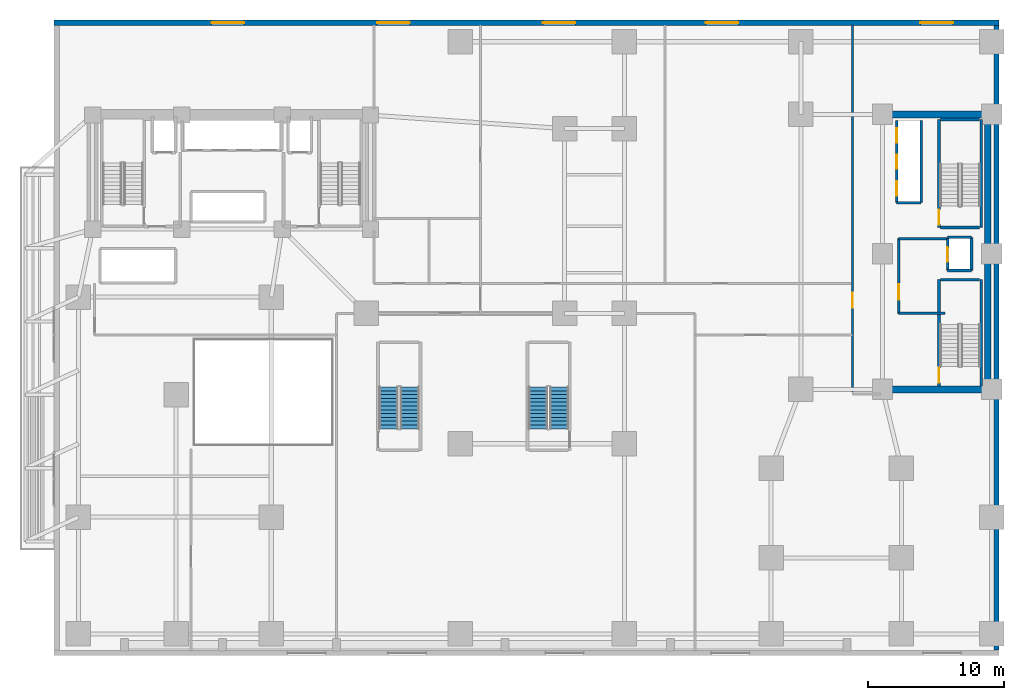
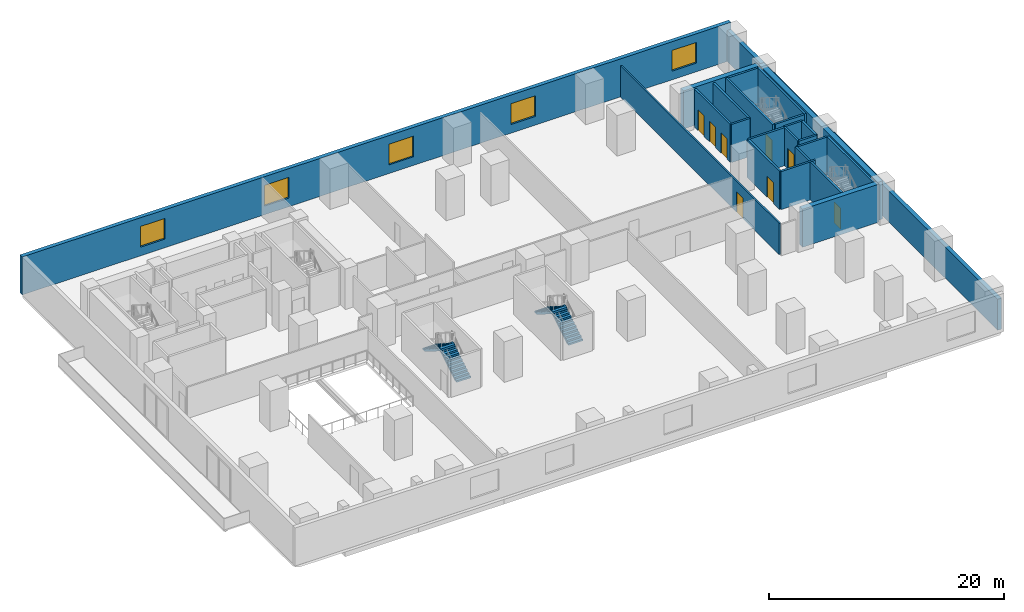
# One storey, part 8 of 13: 23 walls, 8 doors, 5 windows, 4 stair flights, 13 openings, 2 elements without a shape of their own.
"""IFC4 building model written with IfcOpenShell, lengths in metres."""

import ifcopenshell
import ifcopenshell.guid

model = None  # the IFC model being written
_history = None  # IfcOwnerHistory: only IFC2X3 demands one
_inside = {}  # id of a spatial element -> (the spatial element, [elements in it])
_under = {}  # id of a project, library or spatial element -> (it, [spatial elements below it])
_declared = {}  # id of a project -> (the project, [libraries it declares])
_typed = {}  # id of a type object -> (the type object, [elements of that type])
_made_of = {}  # id of a material, layer set ... -> (it, [elements and type objects made of it])


def new_model(schema):
    """Start an empty IFC model of exactly this schema.

    Asked for "IFC4X3", IfcOpenShell would pick the latest addendum, in which some entities
    have other attributes; the version numbers below select the first issue.
    IFC2X3 requires an IfcOwnerHistory on every rooted entity: one is made here for all.
    """
    global model, _history
    if schema == "IFC4X3":
        model = ifcopenshell.file(schema_version=(4, 3, 0, 0))
    else:
        model = ifcopenshell.file(schema=schema)
    _inside.clear()
    _under.clear()
    _declared.clear()
    _typed.clear()
    _made_of.clear()
    _history = None
    if model.schema == "IFC2X3":
        org = make("IfcOrganization", Name="unknown")
        user = make(
            "IfcPersonAndOrganization",
            ThePerson=make("IfcPerson", FamilyName="unknown"),
            TheOrganization=org,
        )
        app = make(
            "IfcApplication",
            ApplicationDeveloper=org,
            Version="unknown",
            ApplicationFullName="unknown",
            ApplicationIdentifier="unknown",
        )
        _history = make(
            "IfcOwnerHistory",
            OwningUser=user,
            OwningApplication=app,
            ChangeAction="ADDED",
            CreationDate=0,
        )
    return model


def make(cls, **values):
    """One entity of the class cls with the attributes given. An attribute that is None is left unset."""
    return model.create_entity(
        cls, **{name: value for name, value in values.items() if value is not None}
    )


def rooted(cls, **values):
    """An entity with a GlobalId (a new one), such as an element, a storey or a relation."""
    return make(cls, GlobalId=ifcopenshell.guid.new(), OwnerHistory=_history, **values)


def si_unit(unit_type, name, prefix=None):
    """IfcSIUnit, for example si_unit("LENGTHUNIT", "METRE", prefix="MILLI")."""
    return make("IfcSIUnit", UnitType=unit_type, Prefix=prefix, Name=name)


def assignment(units):
    """IfcUnitAssignment: the units of a project."""
    return None if units is None else make("IfcUnitAssignment", Units=units)


def point(xyz):
    """IfcCartesianPoint."""
    return None if xyz is None else make("IfcCartesianPoint", Coordinates=xyz)


def direction(xyz):
    """IfcDirection."""
    return None if xyz is None else make("IfcDirection", DirectionRatios=xyz)


def frame(location, z_axis=None, x_axis=None):
    """IfcAxis2Placement3D, a coordinate frame: its origin and axes. An axis left out is left unset."""
    return make(
        "IfcAxis2Placement3D",
        Location=point(location),
        Axis=direction(z_axis),
        RefDirection=direction(x_axis),
    )


def frame_2d(location, x_axis=None):
    """IfcAxis2Placement2D, a coordinate frame in the plane: its origin and x axis."""
    return make(
        "IfcAxis2Placement2D", Location=point(location), RefDirection=direction(x_axis)
    )


def origin():
    """The frame at (0, 0, 0) with its axes left unset."""
    return frame((0.0, 0.0, 0.0))


def place(relative_to, where):
    """IfcLocalPlacement: puts the frame where relative to a parent placement (None: the world)."""
    return make(
        "IfcLocalPlacement", PlacementRelTo=relative_to, RelativePlacement=where
    )


def context(
    kind, dimensions, precision=None, world=None, true_north=None, identifier=None
):
    """IfcGeometricRepresentationContext, for example the 3D "Model" context."""
    return make(
        "IfcGeometricRepresentationContext",
        ContextIdentifier=identifier,
        ContextType=kind,
        CoordinateSpaceDimension=dimensions,
        Precision=precision,
        WorldCoordinateSystem=world,
        TrueNorth=true_north,
    )


def subcontext(parent, identifier, kind, view, scale=None):
    """IfcGeometricRepresentationSubContext, for example "Body" below "Model"."""
    return make(
        "IfcGeometricRepresentationSubContext",
        ContextIdentifier=identifier,
        ContextType=kind,
        ParentContext=parent,
        TargetScale=scale,
        TargetView=view,
    )


def project(units=None, contexts=None):
    """IfcProject with its units and contexts."""
    return rooted(
        "IfcProject",
        Name="project",
        RepresentationContexts=contexts,
        UnitsInContext=assignment(units),
    )


def spatial(cls, under=None, at=None, **own):
    """A site, building, storey or space (cls), placed at a placement, below another one or the project."""
    s = rooted(cls, ObjectPlacement=at, **own)
    if under is not None:
        _under.setdefault(under.id(), (under, []))[1].append(s)
    return s


def polyline(points):
    """IfcPolyline through the points."""
    return make("IfcPolyline", Points=[point(p) for p in points])


def profile(cls, at=None, kind="AREA", **sizes):
    """A parametric profile (cls). Its sizes go by their IFC names, for example OverallWidth=200.0."""
    return make(cls, ProfileType=kind, Position=at, **sizes)


def rectangle(**sizes):
    """IfcRectangleProfileDef."""
    return profile("IfcRectangleProfileDef", **sizes)


def outline(outer, holes=None, kind="AREA"):
    """IfcArbitraryClosedProfileDef: a profile drawn as a closed curve; with holes, ...WithVoids."""
    if holes is None:
        return make("IfcArbitraryClosedProfileDef", ProfileType=kind, OuterCurve=outer)
    return make(
        "IfcArbitraryProfileDefWithVoids",
        ProfileType=kind,
        OuterCurve=outer,
        InnerCurves=holes,
    )


def extrude(swept, where, along, depth):
    """IfcExtrudedAreaSolid: the profile swept, set in the frame where, extruded along a direction by depth."""
    return make(
        "IfcExtrudedAreaSolid",
        SweptArea=swept,
        Position=where,
        ExtrudedDirection=direction(along),
        Depth=depth,
    )


def shape(context_of_items, identifier, shape_type, items):
    """IfcShapeRepresentation: the items that make up one representation, for example the "Body"."""
    return make(
        "IfcShapeRepresentation",
        ContextOfItems=context_of_items,
        RepresentationIdentifier=identifier,
        RepresentationType=shape_type,
        Items=items,
    )


def material(Name=None, Category=None):
    """IfcMaterial."""
    return make("IfcMaterial", Name=Name, Category=Category)


def layer(
    of_material, thickness, ventilated=None, Name=None, Category=None, Priority=None
):
    """IfcMaterialLayer: one layer of a wall or slab, of a material (None: an air gap)."""
    return make(
        "IfcMaterialLayer",
        Material=of_material,
        LayerThickness=thickness,
        IsVentilated=ventilated,
        Name=Name,
        Category=Category,
        Priority=Priority,
    )


def layer_set(layers, Name=None):
    """IfcMaterialLayerSet."""
    return make("IfcMaterialLayerSet", MaterialLayers=layers, LayerSetName=Name)


def made_of(thing, what):
    """Note that an element or type object is made of a material, layer set ...; save() writes the relation."""
    if what is not None:
        _made_of.setdefault(what.id(), (what, []))[1].append(thing)
    return thing


def type_object(cls, material=None, **own):
    """A type object (cls), such as IfcWallType, which elements share."""
    return made_of(rooted(cls, **own), material)


def element(
    cls,
    number,
    at=None,
    inside=None,
    cuts=None,
    type_object=None,
    material=None,
    context=None,
    identifier="Body",
    shape_type=None,
    held_by="IfcProductDefinitionShape",
    body=None,
    shapes=None,
    **own,
):
    """One element of the class cls, such as IfcWall. Its Tag is "e" and its number.

    at: its placement. inside: the storey or other place that contains it. cuts: it is an
    opening in that element (IfcRelVoidsElement). A single representation is given by context,
    identifier, shape_type and body (its items); several are given by shapes. held_by: the class
    of the entity that holds the representations. save() writes the other relations.
    """
    e = rooted(cls, Tag="e%d" % number, ObjectPlacement=at, **own)
    if body is not None:
        shapes = [shape(context, identifier, shape_type, body)]
    if shapes is not None:
        e.Representation = make(held_by, Representations=shapes)
    if inside is not None:
        _inside.setdefault(inside.id(), (inside, []))[1].append(e)
    if cuts is not None:
        rooted(
            "IfcRelVoidsElement", RelatingBuildingElement=cuts, RelatedOpeningElement=e
        )
    if type_object is not None:
        _typed.setdefault(type_object.id(), (type_object, []))[1].append(e)
    return made_of(e, material)


def fill(opening, filler):
    """IfcRelFillsElement: the door or window that sits in an opening."""
    return rooted(
        "IfcRelFillsElement",
        RelatingOpeningElement=opening,
        RelatedBuildingElement=filler,
    )


def aggregate(whole, parts):
    """IfcRelAggregates: a whole, such as a stair, and the parts it consists of."""
    return rooted("IfcRelAggregates", RelatingObject=whole, RelatedObjects=parts)


def save(model, path):
    """Write the relations noted so far, then the file.

    IfcRelAggregates (storeys below a building ...), IfcRelContainedInSpatialStructure (elements
    in a storey), IfcRelDefinesByType, IfcRelAssociatesMaterial and IfcRelDeclares: one each for
    every whole, place, type object, material and project.
    """
    for whole, parts in _under.values():
        aggregate(whole, parts)
    for where, things in _inside.values():
        rooted(
            "IfcRelContainedInSpatialStructure",
            RelatedElements=things,
            RelatingStructure=where,
        )
    for kind, things in _typed.values():
        rooted("IfcRelDefinesByType", RelatedObjects=things, RelatingType=kind)
    for what, things in _made_of.values():
        rooted("IfcRelAssociatesMaterial", RelatedObjects=things, RelatingMaterial=what)
    for by, libraries in _declared.values():
        rooted("IfcRelDeclares", RelatingContext=by, RelatedDefinitions=libraries)
    model.write(path)


model = new_model("IFC4")

# Units and contexts
model_context = context("Model", 3, precision=1e-05, world=origin(), true_north=direction((0.0, 1.0)))
body_context = subcontext(model_context, "Body", "Model", "MODEL_VIEW")
ifc_project = project(units=[si_unit("LENGTHUNIT", "METRE"), si_unit("AREAUNIT", "SQUARE_METRE"), si_unit("VOLUMEUNIT", "CUBIC_METRE"), si_unit("PLANEANGLEUNIT", "RADIAN"), si_unit("MASSUNIT", "GRAM", prefix="KILO")], contexts=[model_context])

# Site, building, storey
site_placement = place(None, origin())
site = spatial("IfcSite", under=ifc_project, at=site_placement, CompositionType="ELEMENT")
building_placement = place(site_placement, origin())
building = spatial("IfcBuilding", under=site, at=building_placement, Name="Kuzgunbayir Cultural Tower", CompositionType="ELEMENT")
storey_placement = place(building_placement, frame((0.0, 0.0, 4.60009765625)))
storey = spatial("IfcBuildingStorey", under=building, at=storey_placement, Name="L01", CompositionType="ELEMENT", Elevation=4.60009765625)

# Wall, openings, windows
ifc_material_1 = material(Name="Anatolian Cream Limestone", Category="masonry")
ifc_layer_1 = layer(ifc_material_1, 0.3798828125)
ifc_layer_set_1 = layer_set([ifc_layer_1], Name="Anatolian Cream Limestone")
wall_type_1 = type_object("IfcWallType", Name="WAL-EXT-STONE-380", PredefinedType="STANDARD", material=ifc_layer_set_1)
wall_1_placement = place(storey_placement, frame((73.199951171875, 49.0, 0.0), z_axis=(0.0, 0.0, 1.0), x_axis=(-1.0, 0.0, 0.0)))
wall_1 = element("IfcWall", 1, at=wall_1_placement, inside=storey, type_object=wall_type_1, Name="L01 Podium North Limestone Facade", PredefinedType="STANDARD", context=body_context, shape_type="SweptSolid", body=[
    extrude(rectangle(XDim=69.599853515625, YDim=0.3798828125, at=frame_2d((34.7998046875, 0.0))), origin(), (0.0, 0.0, 1.0), 3.949951171875),
])
opening_1_placement = place(wall_1_placement, frame((3.39990234375, 0.0, 0.89990234375)))
opening_1 = element("IfcOpeningElement", 2, at=opening_1_placement, cuts=wall_1, Name="Opening WG-24", PredefinedType="OPENING", context=body_context, shape_type="SweptSolid", body=[
    extrude(rectangle(XDim=2.39990234375, YDim=2.14990234375, at=frame_2d((1.199951171875, 1.074951171875))), frame((0.0, 0.199951171875, 0.0), z_axis=(0.0, -1.0, 0.0), x_axis=(1.0, 0.0, 0.0)), (0.0, 0.0, 1.0), 0.39990234375),
])
opening_2_placement = place(wall_1_placement, frame((19.199951171875, 0.0, 0.89990234375)))
opening_2 = element("IfcOpeningElement", 3, at=opening_2_placement, cuts=wall_1, Name="Opening WG-24", PredefinedType="OPENING", context=body_context, shape_type="SweptSolid", body=[
    extrude(rectangle(XDim=2.39990234375, YDim=2.14990234375, at=frame_2d((1.199951171875, 1.074951171875))), frame((0.0, 0.199951171875, 0.0), z_axis=(0.0, -1.0, 0.0), x_axis=(1.0, 0.0, 0.0)), (0.0, 0.0, 1.0), 0.39990234375),
])
opening_3_placement = place(wall_1_placement, frame((31.199951171875, 0.0, 0.89990234375)))
opening_3 = element("IfcOpeningElement", 4, at=opening_3_placement, cuts=wall_1, Name="Opening WG-24", PredefinedType="OPENING", context=body_context, shape_type="SweptSolid", body=[
    extrude(rectangle(XDim=2.39990234375, YDim=2.14990234375, at=frame_2d((1.199951171875, 1.074951171875))), frame((0.0, 0.199951171875, 0.0), z_axis=(0.0, -1.0, 0.0), x_axis=(1.0, 0.0, 0.0)), (0.0, 0.0, 1.0), 0.39990234375),
])
opening_4_placement = place(wall_1_placement, frame((43.39990234375, 0.0, 0.89990234375)))
opening_4 = element("IfcOpeningElement", 5, at=opening_4_placement, cuts=wall_1, Name="Opening WG-24", PredefinedType="OPENING", context=body_context, shape_type="SweptSolid", body=[
    extrude(rectangle(XDim=2.39990234375, YDim=2.14990234375, at=frame_2d((1.199951171875, 1.074951171875))), frame((0.0, 0.199951171875, 0.0), z_axis=(0.0, -1.0, 0.0), x_axis=(1.0, 0.0, 0.0)), (0.0, 0.0, 1.0), 0.39990234375),
])
opening_5_placement = place(wall_1_placement, frame((55.60009765625, 0.0, 0.89990234375)))
opening_5 = element("IfcOpeningElement", 6, at=opening_5_placement, cuts=wall_1, Name="Opening WG-24", PredefinedType="OPENING", context=body_context, shape_type="SweptSolid", body=[
    extrude(rectangle(XDim=2.39990234375, YDim=2.14990234375, at=frame_2d((1.199951171875, 1.074951171875))), frame((0.0, 0.199951171875, 0.0), z_axis=(0.0, -1.0, 0.0), x_axis=(1.0, 0.0, 0.0)), (0.0, 0.0, 1.0), 0.39990234375),
])
ifc_material_2 = material(Name="Solar-Control Triple Glazing", Category="glass")
window_type = type_object("IfcWindowType", Name="WIN-GALLERY-24", PartitioningType="SINGLE_PANEL", PredefinedType="WINDOW", material=ifc_material_2)
window_1_placement = place(opening_1_placement, origin())
window_1 = element("IfcWindow", 7, at=window_1_placement, inside=storey, type_object=window_type, Name="L01 Podium North Gallery Window 1", OverallHeight=2.14990234375, OverallWidth=2.39990234375, PartitioningType="SINGLE_PANEL", PredefinedType="WINDOW", context=body_context, shape_type="SweptSolid", body=[
    extrude(rectangle(XDim=2.39990234375, YDim=2.14990234375, at=frame_2d((1.199951171875, 1.074951171875))), frame((0.0, 0.030029296875, 0.0), z_axis=(0.0, -1.0, 0.0), x_axis=(1.0, 0.0, 0.0)), (0.0, 0.0, 1.0), 0.06005859375),
])
fill(opening_1, window_1)
window_2_placement = place(opening_2_placement, origin())
window_2 = element("IfcWindow", 8, at=window_2_placement, inside=storey, type_object=window_type, Name="L01 Podium North Gallery Window 2", OverallHeight=2.14990234375, OverallWidth=2.39990234375, PartitioningType="SINGLE_PANEL", PredefinedType="WINDOW", context=body_context, shape_type="SweptSolid", body=[
    extrude(rectangle(XDim=2.39990234375, YDim=2.14990234375, at=frame_2d((1.199951171875, 1.074951171875))), frame((0.0, 0.030029296875, 0.0), z_axis=(0.0, -1.0, 0.0), x_axis=(1.0, 0.0, 0.0)), (0.0, 0.0, 1.0), 0.06005859375),
])
fill(opening_2, window_2)
window_3_placement = place(opening_3_placement, origin())
window_3 = element("IfcWindow", 9, at=window_3_placement, inside=storey, type_object=window_type, Name="L01 Podium North Gallery Window 3", OverallHeight=2.14990234375, OverallWidth=2.39990234375, PartitioningType="SINGLE_PANEL", PredefinedType="WINDOW", context=body_context, shape_type="SweptSolid", body=[
    extrude(rectangle(XDim=2.39990234375, YDim=2.14990234375, at=frame_2d((1.199951171875, 1.074951171875))), frame((0.0, 0.030029296875, 0.0), z_axis=(0.0, -1.0, 0.0), x_axis=(1.0, 0.0, 0.0)), (0.0, 0.0, 1.0), 0.06005859375),
])
fill(opening_3, window_3)
window_4_placement = place(opening_4_placement, origin())
window_4 = element("IfcWindow", 10, at=window_4_placement, inside=storey, type_object=window_type, Name="L01 Podium North Gallery Window 4", OverallHeight=2.14990234375, OverallWidth=2.39990234375, PartitioningType="SINGLE_PANEL", PredefinedType="WINDOW", context=body_context, shape_type="SweptSolid", body=[
    extrude(rectangle(XDim=2.39990234375, YDim=2.14990234375, at=frame_2d((1.199951171875, 1.074951171875))), frame((0.0, 0.030029296875, 0.0), z_axis=(0.0, -1.0, 0.0), x_axis=(1.0, 0.0, 0.0)), (0.0, 0.0, 1.0), 0.06005859375),
])
fill(opening_4, window_4)
window_5_placement = place(opening_5_placement, origin())
window_5 = element("IfcWindow", 11, at=window_5_placement, inside=storey, type_object=window_type, Name="L01 Podium North Gallery Window 5", OverallHeight=2.14990234375, OverallWidth=2.39990234375, PartitioningType="SINGLE_PANEL", PredefinedType="WINDOW", context=body_context, shape_type="SweptSolid", body=[
    extrude(rectangle(XDim=2.39990234375, YDim=2.14990234375, at=frame_2d((1.199951171875, 1.074951171875))), frame((0.0, 0.030029296875, 0.0), z_axis=(0.0, -1.0, 0.0), x_axis=(1.0, 0.0, 0.0)), (0.0, 0.0, 1.0), 0.06005859375),
])
fill(opening_5, window_5)

# Wall
wall_2_placement = place(storey_placement, frame((73.0, 2.800048828125, 0.0), z_axis=(0.0, 0.0, 1.0), x_axis=(0.0, 1.0, 0.0)))
element("IfcWall", 12, at=wall_2_placement, inside=storey, type_object=wall_type_1, Name="L01 Podium East Limestone Facade", PredefinedType="STANDARD", context=body_context, shape_type="SweptSolid", body=[
    extrude(rectangle(XDim=46.0, YDim=0.3798828125, at=frame_2d((23.0, 0.0))), origin(), (0.0, 0.0, 1.0), 3.22998046875),
])

# Wall, opening, door
ifc_material_3 = material(Name="Acoustic Double-Stud Drywall", Category="gypsum")
ifc_layer_2 = layer(ifc_material_3, 0.14990234375)
ifc_layer_set_2 = layer_set([ifc_layer_2], Name="Acoustic Double-Stud Drywall")
wall_type_2 = type_object("IfcWallType", Name="WAL-PART-ACOUSTIC-150", PredefinedType="PARTITIONING", material=ifc_layer_set_2)
wall_3_placement = place(storey_placement, frame((62.39990234375, 21.800048828125, 0.0), z_axis=(0.0, 0.0, 1.0), x_axis=(0.0, 1.0, 0.0)))
wall_3 = element("IfcWall", 13, at=wall_3_placement, inside=storey, type_object=wall_type_2, Name="L01 Companion Core West Wall", PredefinedType="PARTITIONING", context=body_context, shape_type="SweptSolid", body=[
    extrude(rectangle(XDim=27.050048828125, YDim=0.14990234375, at=frame_2d((13.52490234375, 0.0))), origin(), (0.0, 0.0, 1.0), 3.22998046875),
])
opening_6_placement = place(wall_3_placement, frame((6.199951171875, 0.0, 0.0)))
opening_6 = element("IfcOpeningElement", 14, at=opening_6_placement, cuts=wall_3, Name="Opening DR-STAIR-90", PredefinedType="OPENING", context=body_context, shape_type="SweptSolid", body=[
    extrude(rectangle(XDim=1.10009765625, YDim=2.14990234375, at=frame_2d((0.550048828125, 1.074951171875))), frame((0.0, 0.0849609375, 0.0), z_axis=(0.0, -1.0, 0.0), x_axis=(1.0, 0.0, 0.0)), (0.0, 0.0, 1.0), 0.169921875),
])
ifc_material_4 = material(Name="Steel S355J2", Category="steel")
door_type_1 = type_object("IfcDoorType", Name="DR-STAIR-90", OperationType="NOTDEFINED", PredefinedType="DOOR", material=ifc_material_4)
door_1_placement = place(opening_6_placement, origin())
door_1 = element("IfcDoor", 15, at=door_1_placement, inside=storey, type_object=door_type_1, Name="L01 Companion Core Concourse Door", OperationType="SINGLE_SWING_RIGHT", OverallHeight=2.14990234375, OverallWidth=1.10009765625, PredefinedType="DOOR", context=body_context, shape_type="SweptSolid", body=[
    extrude(rectangle(XDim=1.10009765625, YDim=2.14990234375, at=frame_2d((0.550048828125, 1.074951171875))), frame((0.0, 0.02490234375, 0.0), z_axis=(0.0, -1.0, 0.0), x_axis=(1.0, 0.0, 0.0)), (0.0, 0.0, 1.0), 0.050048828125),
])
fill(opening_6, door_1)

ifc_material_5 = material(Name="Aerated Concrete Blockwork", Category="masonry")
ifc_layer_3 = layer(ifc_material_5, 0.199951171875)
ifc_layer_set_3 = layer_set([ifc_layer_3], Name="Aerated Concrete Blockwork")
wall_type_3 = type_object("IfcWallType", Name="WAL-PART-FIRE-200", PredefinedType="PARTITIONING", material=ifc_layer_set_3)
wall_4_placement = place(storey_placement, frame((65.800048828125, 27.60009765625, 0.0), z_axis=(0.0, 0.0, 1.0), x_axis=(0.0, 1.0, 0.0)))
wall_4 = element("IfcWall", 16, at=wall_4_placement, inside=storey, type_object=wall_type_3, Name="L01 FFL-3 Lobby West Fire Wall", PredefinedType="PARTITIONING", context=body_context, shape_type="SweptSolid", body=[
    extrude(rectangle(XDim=5.5, YDim=0.199951171875, at=frame_2d((2.75, 0.0))), origin(), (0.0, 0.0, 1.0), 3.949951171875),
])
opening_7_placement = place(wall_4_placement, frame((1.0, 0.0, 0.0)))
opening_7 = element("IfcOpeningElement", 17, at=opening_7_placement, cuts=wall_4, Name="Opening DR-FFL-90", PredefinedType="OPENING", context=body_context, shape_type="SweptSolid", body=[
    extrude(rectangle(XDim=1.14990234375, YDim=2.14990234375, at=frame_2d((0.574951171875, 1.074951171875))), frame((0.0, 0.10986328125, 0.0), z_axis=(0.0, -1.0, 0.0), x_axis=(1.0, 0.0, 0.0)), (0.0, 0.0, 1.0), 0.219970703125),
])
door_type_2 = type_object("IfcDoorType", Name="DR-FFL-90", OperationType="NOTDEFINED", PredefinedType="DOOR", material=ifc_material_4)
door_2_placement = place(opening_7_placement, origin())
door_2 = element("IfcDoor", 18, at=door_2_placement, inside=storey, type_object=door_type_2, Name="L01 Firefighting Lobby 3 Door", OperationType="SINGLE_SWING_RIGHT", OverallHeight=2.14990234375, OverallWidth=1.14990234375, PredefinedType="DOOR", context=body_context, shape_type="SweptSolid", body=[
    extrude(rectangle(XDim=1.14990234375, YDim=2.14990234375, at=frame_2d((0.574951171875, 1.074951171875))), frame((0.0, 0.02490234375, 0.0), z_axis=(0.0, -1.0, 0.0), x_axis=(1.0, 0.0, 0.0)), (0.0, 0.0, 1.0), 0.050048828125),
])
fill(opening_7, door_2)

# Walls
wall_5_placement = place(storey_placement, frame((65.800048828125, 33.10009765625, 0.0), z_axis=(0.0, 0.0, 1.0), x_axis=(1.0, 0.0, 0.0)))
element("IfcWall", 19, at=wall_5_placement, inside=storey, type_object=wall_type_3, Name="L01 FFL-3 Lobby North Fire Wall", PredefinedType="PARTITIONING", context=body_context, shape_type="SweptSolid", body=[
    extrude(rectangle(XDim=3.599853515625, YDim=0.199951171875, at=frame_2d((1.7998046875, 0.0))), origin(), (0.0, 0.0, 1.0), 3.949951171875),
])
wall_6_placement = place(storey_placement, frame((65.800048828125, 27.60009765625, 0.0), z_axis=(0.0, 0.0, 1.0), x_axis=(1.0, 0.0, 0.0)))
element("IfcWall", 20, at=wall_6_placement, inside=storey, type_object=wall_type_3, Name="L01 FFL-3 Lobby South Fire Wall", PredefinedType="PARTITIONING", context=body_context, shape_type="SweptSolid", body=[
    extrude(rectangle(XDim=3.39990234375, YDim=0.199951171875, at=frame_2d((1.699951171875, 0.0))), origin(), (0.0, 0.0, 1.0), 3.949951171875),
])

# Wall, openings, doors
ifc_material_6 = material(Name="Concrete C40/50", Category="concrete")
ifc_layer_4 = layer(ifc_material_6, 0.199951171875)
ifc_layer_set_4 = layer_set([ifc_layer_4], Name="Concrete C40/50")
wall_type_4 = type_object("IfcWallType", Name="WAL-SHAFT-200", PredefinedType="MOVABLE", material=ifc_layer_set_4)
wall_7_placement = place(storey_placement, frame((65.64990234375, 35.75, 0.0), z_axis=(0.0, 0.0, 1.0), x_axis=(0.0, 1.0, 0.0)))
wall_7 = element("IfcWall", 21, at=wall_7_placement, inside=storey, type_object=wall_type_4, Name="L01 Companion Lift Front Wall", PredefinedType="MOVABLE", context=body_context, shape_type="SweptSolid", body=[
    extrude(rectangle(XDim=6.050048828125, YDim=0.199951171875, at=frame_2d((3.02490234375, 0.0))), origin(), (0.0, 0.0, 1.0), 3.949951171875),
])
opening_8_placement = place(wall_7_placement, frame((0.52001953125, 0.0, 0.0)))
opening_8 = element("IfcOpeningElement", 22, at=opening_8_placement, cuts=wall_7, Name="Opening LD", PredefinedType="OPENING", context=body_context, shape_type="SweptSolid", body=[
    extrude(rectangle(XDim=1.050048828125, YDim=2.14990234375, at=frame_2d((0.52490234375, 1.074951171875))), frame((0.0, 0.10986328125, 0.0), z_axis=(0.0, -1.0, 0.0), x_axis=(1.0, 0.0, 0.0)), (0.0, 0.0, 1.0), 0.219970703125),
])
opening_9_placement = place(wall_7_placement, frame((2.47998046875, 0.0, 0.0)))
opening_9 = element("IfcOpeningElement", 23, at=opening_9_placement, cuts=wall_7, Name="Opening LD", PredefinedType="OPENING", context=body_context, shape_type="SweptSolid", body=[
    extrude(rectangle(XDim=1.050048828125, YDim=2.14990234375, at=frame_2d((0.52490234375, 1.074951171875))), frame((0.0, 0.10986328125, 0.0), z_axis=(0.0, -1.0, 0.0), x_axis=(1.0, 0.0, 0.0)), (0.0, 0.0, 1.0), 0.219970703125),
])
opening_10_placement = place(wall_7_placement, frame((4.429931640625, 0.0, 0.0)))
opening_10 = element("IfcOpeningElement", 24, at=opening_10_placement, cuts=wall_7, Name="Opening LD", PredefinedType="OPENING", context=body_context, shape_type="SweptSolid", body=[
    extrude(rectangle(XDim=1.050048828125, YDim=2.14990234375, at=frame_2d((0.52490234375, 1.074951171875))), frame((0.0, 0.10986328125, 0.0), z_axis=(0.0, -1.0, 0.0), x_axis=(1.0, 0.0, 0.0)), (0.0, 0.0, 1.0), 0.219970703125),
])
ifc_material_7 = material(Name="Brushed Stainless Steel", Category="steel")
door_type_3 = type_object("IfcDoorType", Name="DR-LIFT-LANDING", OperationType="SLIDING_TO_LEFT", PredefinedType="DOOR", material=ifc_material_7)
door_3_placement = place(opening_8_placement, origin())
door_3 = element("IfcDoor", 25, at=door_3_placement, inside=storey, type_object=door_type_3, Name="L01 Lift PC-1 Landing Door", OperationType="SLIDING_TO_LEFT", OverallHeight=2.14990234375, OverallWidth=1.050048828125, PredefinedType="DOOR", context=body_context, shape_type="SweptSolid", body=[
    extrude(rectangle(XDim=1.050048828125, YDim=2.14990234375, at=frame_2d((0.52490234375, 1.074951171875))), frame((0.0, 0.02490234375, 0.0), z_axis=(0.0, -1.0, 0.0), x_axis=(1.0, 0.0, 0.0)), (0.0, 0.0, 1.0), 0.050048828125),
])
fill(opening_8, door_3)
door_4_placement = place(opening_9_placement, origin())
door_4 = element("IfcDoor", 26, at=door_4_placement, inside=storey, type_object=door_type_3, Name="L01 Lift PC-2 Landing Door", OperationType="SLIDING_TO_LEFT", OverallHeight=2.14990234375, OverallWidth=1.050048828125, PredefinedType="DOOR", context=body_context, shape_type="SweptSolid", body=[
    extrude(rectangle(XDim=1.050048828125, YDim=2.14990234375, at=frame_2d((0.52490234375, 1.074951171875))), frame((0.0, 0.02490234375, 0.0), z_axis=(0.0, -1.0, 0.0), x_axis=(1.0, 0.0, 0.0)), (0.0, 0.0, 1.0), 0.050048828125),
])
fill(opening_9, door_4)
door_5_placement = place(opening_10_placement, origin())
door_5 = element("IfcDoor", 27, at=door_5_placement, inside=storey, type_object=door_type_3, Name="L01 Lift PC-3 Landing Door", OperationType="SLIDING_TO_LEFT", OverallHeight=2.14990234375, OverallWidth=1.050048828125, PredefinedType="DOOR", context=body_context, shape_type="SweptSolid", body=[
    extrude(rectangle(XDim=1.050048828125, YDim=2.14990234375, at=frame_2d((0.52490234375, 1.074951171875))), frame((0.0, 0.02490234375, 0.0), z_axis=(0.0, -1.0, 0.0), x_axis=(1.0, 0.0, 0.0)), (0.0, 0.0, 1.0), 0.050048828125),
])
fill(opening_10, door_5)

# Walls
wall_8_placement = place(storey_placement, frame((67.449951171875, 35.75, 0.0), z_axis=(0.0, 0.0, 1.0), x_axis=(0.0, 1.0, 0.0)))
element("IfcWall", 28, at=wall_8_placement, inside=storey, type_object=wall_type_4, Name="L01 Companion Lift Shaft Back Wall", PredefinedType="MOVABLE", context=body_context, shape_type="SweptSolid", body=[
    extrude(rectangle(XDim=6.050048828125, YDim=0.199951171875, at=frame_2d((3.02490234375, 0.0))), origin(), (0.0, 0.0, 1.0), 3.949951171875),
])
wall_9_placement = place(storey_placement, frame((65.64990234375, 35.75, 0.0), z_axis=(0.0, 0.0, 1.0), x_axis=(1.0, 0.0, 0.0)))
element("IfcWall", 29, at=wall_9_placement, inside=storey, type_object=wall_type_4, Name="L01 Companion Lift Shaft South Wall", PredefinedType="MOVABLE", context=body_context, shape_type="SweptSolid", body=[
    extrude(rectangle(XDim=1.800048828125, YDim=0.199951171875, at=frame_2d((0.89990234375, 0.0))), origin(), (0.0, 0.0, 1.0), 3.949951171875),
])

# Wall, opening, door
wall_10_placement = place(storey_placement, frame((69.39990234375, 30.75, 0.0), z_axis=(0.0, 0.0, 1.0), x_axis=(0.0, 1.0, 0.0)))
wall_10 = element("IfcWall", 30, at=wall_10_placement, inside=storey, type_object=wall_type_4, Name="L01 FFL-3 Lift Front Wall", PredefinedType="MOVABLE", context=body_context, shape_type="SweptSolid", body=[
    extrude(rectangle(XDim=2.449951171875, YDim=0.199951171875, at=frame_2d((1.22509765625, 0.0))), origin(), (0.0, 0.0, 1.0), 3.949951171875),
])
opening_11_placement = place(wall_10_placement, frame((0.64990234375, 0.0, 0.0)))
opening_11 = element("IfcOpeningElement", 31, at=opening_11_placement, cuts=wall_10, Name="Opening LD", PredefinedType="OPENING", context=body_context, shape_type="SweptSolid", body=[
    extrude(rectangle(XDim=1.050048828125, YDim=2.14990234375, at=frame_2d((0.52490234375, 1.074951171875))), frame((0.0, 0.10986328125, 0.0), z_axis=(0.0, -1.0, 0.0), x_axis=(1.0, 0.0, 0.0)), (0.0, 0.0, 1.0), 0.219970703125),
])
door_6_placement = place(opening_11_placement, origin())
door_6 = element("IfcDoor", 32, at=door_6_placement, inside=storey, type_object=door_type_3, Name="L01 Lift FFL-3 Landing Door", OperationType="SLIDING_TO_LEFT", OverallHeight=2.14990234375, OverallWidth=1.050048828125, PredefinedType="DOOR", context=body_context, shape_type="SweptSolid", body=[
    extrude(rectangle(XDim=1.050048828125, YDim=2.14990234375, at=frame_2d((0.52490234375, 1.074951171875))), frame((0.0, 0.02490234375, 0.0), z_axis=(0.0, -1.0, 0.0), x_axis=(1.0, 0.0, 0.0)), (0.0, 0.0, 1.0), 0.050048828125),
])
fill(opening_11, door_6)

# Walls
wall_11_placement = place(storey_placement, frame((71.14990234375, 30.75, 0.0), z_axis=(0.0, 0.0, 1.0), x_axis=(0.0, 1.0, 0.0)))
element("IfcWall", 33, at=wall_11_placement, inside=storey, type_object=wall_type_4, Name="L01 FFL-3 Shaft Back Wall", PredefinedType="MOVABLE", context=body_context, shape_type="SweptSolid", body=[
    extrude(rectangle(XDim=2.449951171875, YDim=0.199951171875, at=frame_2d((1.22509765625, 0.0))), origin(), (0.0, 0.0, 1.0), 3.949951171875),
])
for number, where, z_axis, x_axis, name in (
    (34, (69.39990234375, 33.199951171875, 0.0), (0.0, 0.0, 1.0), (1.0, 0.0, 0.0), "L01 FFL-3 Shaft North Wall"),
    (35, (69.39990234375, 30.75, 0.0), (0.0, 0.0, 1.0), (1.0, 0.0, 0.0), "L01 FFL-3 Shaft South Wall"),
):
    element("IfcWall", number, at=place(storey_placement, frame(where, z_axis=z_axis, x_axis=x_axis)), inside=storey, type_object=wall_type_4, Name=name, PredefinedType="MOVABLE", context=body_context, shape_type="SweptSolid", body=[
        extrude(rectangle(XDim=1.75, YDim=0.199951171875, at=frame_2d((0.875, 0.0))), origin(), (0.0, 0.0, 1.0), 3.949951171875),
    ])

# Wall, opening, door
ifc_layer_5 = layer(ifc_material_6, 0.199951171875)
ifc_layer_set_5 = layer_set([ifc_layer_5], Name="Concrete C40/50")
wall_type_5 = type_object("IfcWallType", Name="WAL-STAIR-RC-200", PredefinedType="SHEAR", material=ifc_layer_set_5)
wall_12_placement = place(storey_placement, frame((68.760009765625, 22.260009765625, 0.0), z_axis=(0.0, 0.0, 1.0), x_axis=(0.0, 1.0, 0.0)))
wall_12 = element("IfcWall", 36, at=wall_12_placement, inside=storey, type_object=wall_type_5, Name="L01 Stair ST-3 West Structural Wall", PredefinedType="SHEAR", context=body_context, shape_type="SweptSolid", body=[
    extrude(rectangle(XDim=7.820068359375, YDim=0.199951171875, at=frame_2d((3.91015625, 0.0))), origin(), (0.0, 0.0, 1.0), 3.949951171875),
])
opening_12_placement = place(wall_12_placement, frame((0.219970703125, 0.0, 0.0)))
opening_12 = element("IfcOpeningElement", 37, at=opening_12_placement, cuts=wall_12, Name="Opening DR-STAIR-90", PredefinedType="OPENING", context=body_context, shape_type="SweptSolid", body=[
    extrude(rectangle(XDim=1.10009765625, YDim=2.14990234375, at=frame_2d((0.550048828125, 1.074951171875))), frame((0.0, 0.10986328125, 0.0), z_axis=(0.0, -1.0, 0.0), x_axis=(1.0, 0.0, 0.0)), (0.0, 0.0, 1.0), 0.219970703125),
])
door_7_placement = place(opening_12_placement, origin())
door_7 = element("IfcDoor", 38, at=door_7_placement, inside=storey, type_object=door_type_1, Name="L01 Stair ST-3 Fire Door", OperationType="SINGLE_SWING_LEFT", OverallHeight=2.14990234375, OverallWidth=1.10009765625, PredefinedType="DOOR", context=body_context, shape_type="SweptSolid", body=[
    extrude(rectangle(XDim=1.10009765625, YDim=2.14990234375, at=frame_2d((0.550048828125, 1.074951171875))), frame((0.0, 0.02490234375, 0.0), z_axis=(0.0, -1.0, 0.0), x_axis=(1.0, 0.0, 0.0)), (0.0, 0.0, 1.0), 0.050048828125),
])
fill(opening_12, door_7)

# Walls
wall_13_placement = place(storey_placement, frame((71.8798828125, 22.260009765625, 0.0), z_axis=(0.0, 0.0, 1.0), x_axis=(0.0, 1.0, 0.0)))
element("IfcWall", 39, at=wall_13_placement, inside=storey, type_object=wall_type_5, Name="L01 Stair ST-3 East Structural Wall", PredefinedType="SHEAR", context=body_context, shape_type="SweptSolid", body=[
    extrude(rectangle(XDim=7.820068359375, YDim=0.199951171875, at=frame_2d((3.91015625, 0.0))), origin(), (0.0, 0.0, 1.0), 3.949951171875),
])
wall_14_placement = place(storey_placement, frame((68.8798828125, 30.080078125, 0.0), z_axis=(0.0, 0.0, 1.0), x_axis=(1.0, 0.0, 0.0)))
element("IfcWall", 40, at=wall_14_placement, inside=storey, type_object=wall_type_5, Name="L01 Stair ST-3 North Structural Wall", PredefinedType="SHEAR", context=body_context, shape_type="SweptSolid", body=[
    extrude(rectangle(XDim=2.880126953125, YDim=0.199951171875, at=frame_2d((1.43994140625, 0.0))), origin(), (0.0, 0.0, 1.0), 3.949951171875),
])

# Wall, opening, door
wall_15_placement = place(storey_placement, frame((68.760009765625, 33.919921875, 0.0), z_axis=(0.0, 0.0, 1.0), x_axis=(0.0, 1.0, 0.0)))
wall_15 = element("IfcWall", 41, at=wall_15_placement, inside=storey, type_object=wall_type_5, Name="L01 Stair ST-4 West Structural Wall", PredefinedType="SHEAR", context=body_context, shape_type="SweptSolid", body=[
    extrude(rectangle(XDim=7.9599609375, YDim=0.199951171875, at=frame_2d((3.97998046875, 0.0))), origin(), (0.0, 0.0, 1.0), 3.949951171875),
])
opening_13_placement = place(wall_15_placement, frame((0.219970703125, 0.0, 0.0)))
opening_13 = element("IfcOpeningElement", 42, at=opening_13_placement, cuts=wall_15, Name="Opening DR-STAIR-90", PredefinedType="OPENING", context=body_context, shape_type="SweptSolid", body=[
    extrude(rectangle(XDim=1.10009765625, YDim=2.14990234375, at=frame_2d((0.550048828125, 1.074951171875))), frame((0.0, 0.10986328125, 0.0), z_axis=(0.0, -1.0, 0.0), x_axis=(1.0, 0.0, 0.0)), (0.0, 0.0, 1.0), 0.219970703125),
])
door_8_placement = place(opening_13_placement, origin())
door_8 = element("IfcDoor", 43, at=door_8_placement, inside=storey, type_object=door_type_1, Name="L01 Stair ST-4 Fire Door", OperationType="SINGLE_SWING_RIGHT", OverallHeight=2.14990234375, OverallWidth=1.10009765625, PredefinedType="DOOR", context=body_context, shape_type="SweptSolid", body=[
    extrude(rectangle(XDim=1.10009765625, YDim=2.14990234375, at=frame_2d((0.550048828125, 1.074951171875))), frame((0.0, 0.02490234375, 0.0), z_axis=(0.0, -1.0, 0.0), x_axis=(1.0, 0.0, 0.0)), (0.0, 0.0, 1.0), 0.050048828125),
])
fill(opening_13, door_8)

# Walls
wall_16_placement = place(storey_placement, frame((71.8798828125, 33.919921875, 0.0), z_axis=(0.0, 0.0, 1.0), x_axis=(0.0, 1.0, 0.0)))
element("IfcWall", 44, at=wall_16_placement, inside=storey, type_object=wall_type_5, Name="L01 Stair ST-4 East Structural Wall", PredefinedType="SHEAR", context=body_context, shape_type="SweptSolid", body=[
    extrude(rectangle(XDim=7.9599609375, YDim=0.199951171875, at=frame_2d((3.97998046875, 0.0))), origin(), (0.0, 0.0, 1.0), 3.949951171875),
])
for number, where, z_axis, x_axis, name in (
    (45, (68.8798828125, 41.8798828125, 0.0), (0.0, 0.0, 1.0), (1.0, 0.0, 0.0), "L01 Stair ST-4 North Structural Wall"),
    (46, (68.8798828125, 33.919921875, 0.0), (0.0, 0.0, 1.0), (1.0, 0.0, 0.0), "L01 Stair ST-4 South Structural Wall"),
):
    element("IfcWall", number, at=place(storey_placement, frame(where, z_axis=z_axis, x_axis=x_axis)), inside=storey, type_object=wall_type_5, Name=name, PredefinedType="SHEAR", context=body_context, shape_type="SweptSolid", body=[
        extrude(rectangle(XDim=2.880126953125, YDim=0.199951171875, at=frame_2d((1.43994140625, 0.0))), origin(), (0.0, 0.0, 1.0), 3.949951171875),
    ])
ifc_material_8 = material(Name="Concrete C60/75", Category="concrete")
ifc_layer_6 = layer(ifc_material_8, 0.5)
ifc_layer_set_6 = layer_set([ifc_layer_6], Name="Concrete C60/75")
wall_type_6 = type_object("IfcWallType", Name="WAL-T2-CORE-500", PredefinedType="SHEAR", material=ifc_layer_set_6)
wall_17_placement = place(storey_placement, frame((72.35009765625, 22.0, 0.0), z_axis=(0.0, 0.0, 1.0), x_axis=(0.0, 1.0, 0.0)))
element("IfcWall", 47, at=wall_17_placement, inside=storey, type_object=wall_type_6, Name="L01 Companion Core East Shear Wall", PredefinedType="SHEAR", context=body_context, shape_type="SweptSolid", body=[
    extrude(rectangle(XDim=20.25, YDim=0.5, at=frame_2d((10.125, 0.0))), origin(), (0.0, 0.0, 1.0), 3.949951171875),
])
for number, where, z_axis, x_axis, name in (
    (48, (64.60009765625, 42.25, 0.0), (0.0, 0.0, 1.0), (1.0, 0.0, 0.0), "L01 Companion Core North Shear Wall"),
    (49, (64.60009765625, 22.0, 0.0), (0.0, 0.0, 1.0), (1.0, 0.0, 0.0), "L01 Companion Core South Shear Wall"),
):
    element("IfcWall", number, at=place(storey_placement, frame(where, z_axis=z_axis, x_axis=x_axis)), inside=storey, type_object=wall_type_6, Name=name, PredefinedType="SHEAR", context=body_context, shape_type="SweptSolid", body=[
        extrude(rectangle(XDim=7.5, YDim=0.5, at=frame_2d((3.75, 0.0))), origin(), (0.0, 0.0, 1.0), 3.949951171875),
    ])

# Stair, stair flights
stair_type = type_object("IfcStairType", Name="STR-PODIUM-ESC", PredefinedType="HALF_TURN_STAIR", material=ifc_material_6)
stair_1_placement = place(storey_placement, origin())
stair_1 = element("IfcStair", 50, at=stair_1_placement, inside=storey, type_object=stair_type, Name="L01 ST-5", PredefinedType="HALF_TURN_STAIR")
stair_flight_type = type_object("IfcStairFlightType", Name="STRF-RC-140", PredefinedType="STRAIGHT", material=ifc_material_6)
stair_flight_1_placement = place(storey_placement, frame((29.800048828125, 19.10009765625, 0.0), z_axis=(0.0, 0.0, 1.0), x_axis=(0.0, 1.0, 0.0)))
stair_flight_1 = element("IfcStairFlight", 51, at=stair_flight_1_placement, type_object=stair_flight_type, Name="ST-5 flight 1", NumberOfRisers=12, NumberOfTreads=11, PredefinedType="STRAIGHT", RiserHeight=0.175, TreadLength=0.28, context=body_context, shape_type="SweptSolid", body=[
    extrude(outline(polyline([(0.0, 0.0), (0.0, 0.175048828125), (0.280029296875, 0.175048828125), (0.280029296875, 0.35009765625), (0.56005859375, 0.35009765625), (0.56005859375, 0.52490234375), (0.840087890625, 0.52490234375), (0.840087890625, 0.699951171875), (1.1201171875, 0.699951171875), (1.1201171875, 0.875), (1.39990234375, 0.875), (1.39990234375, 1.050048828125), (1.679931640625, 1.050048828125), (1.679931640625, 1.22509765625), (1.9599609375, 1.22509765625), (1.9599609375, 1.39990234375), (2.239990234375, 1.39990234375), (2.239990234375, 1.574951171875), (2.52001953125, 1.574951171875), (2.52001953125, 1.75), (2.800048828125, 1.75), (2.800048828125, 1.925048828125), (3.080078125, 1.925048828125), (3.080078125, 2.10009765625), (3.080078125, 1.712890625), (0.339599609375, 0.0), (0.0, 0.0)])), frame((0.0, 0.699951171875, 0.0), z_axis=(0.0, -1.0, 0.0), x_axis=(1.0, 0.0, 0.0)), (0.0, 0.0, 1.0), 1.39990234375),
])
stair_flight_2_placement = place(storey_placement, frame((28.239990234375, 22.179931640625, 2.099853515625), z_axis=(0.0, 0.0, 1.0), x_axis=(0.0, -1.0, 0.0)))
stair_flight_2 = element("IfcStairFlight", 52, at=stair_flight_2_placement, type_object=stair_flight_type, Name="ST-5 flight 2", NumberOfRisers=12, NumberOfTreads=11, PredefinedType="STRAIGHT", RiserHeight=0.175, TreadLength=0.28, context=body_context, shape_type="SweptSolid", body=[
    extrude(outline(polyline([(0.0, 0.0), (0.0, 0.175048828125), (0.280029296875, 0.175048828125), (0.280029296875, 0.35009765625), (0.56005859375, 0.35009765625), (0.56005859375, 0.52490234375), (0.840087890625, 0.52490234375), (0.840087890625, 0.699951171875), (1.1201171875, 0.699951171875), (1.1201171875, 0.875), (1.39990234375, 0.875), (1.39990234375, 1.050048828125), (1.679931640625, 1.050048828125), (1.679931640625, 1.22509765625), (1.9599609375, 1.22509765625), (1.9599609375, 1.39990234375), (2.239990234375, 1.39990234375), (2.239990234375, 1.574951171875), (2.52001953125, 1.574951171875), (2.52001953125, 1.75), (2.800048828125, 1.75), (2.800048828125, 1.925048828125), (3.080078125, 1.925048828125), (3.080078125, 2.10009765625), (3.080078125, 1.712890625), (0.339599609375, 0.0), (0.0, 0.0)])), frame((0.0, 0.699951171875, 0.0), z_axis=(0.0, -1.0, 0.0), x_axis=(1.0, 0.0, 0.0)), (0.0, 0.0, 1.0), 1.39990234375),
])
aggregate(stair_1, [stair_flight_1, stair_flight_2])

stair_2_placement = place(storey_placement, origin())
stair_2 = element("IfcStair", 53, at=stair_2_placement, inside=storey, type_object=stair_type, Name="L01 ST-6", PredefinedType="HALF_TURN_STAIR")
stair_flight_3_placement = place(storey_placement, frame((40.800048828125, 19.10009765625, 0.0), z_axis=(0.0, 0.0, 1.0), x_axis=(0.0, 1.0, 0.0)))
stair_flight_3 = element("IfcStairFlight", 54, at=stair_flight_3_placement, type_object=stair_flight_type, Name="ST-6 flight 1", NumberOfRisers=12, NumberOfTreads=11, PredefinedType="STRAIGHT", RiserHeight=0.175, TreadLength=0.28, context=body_context, shape_type="SweptSolid", body=[
    extrude(outline(polyline([(0.0, 0.0), (0.0, 0.175048828125), (0.280029296875, 0.175048828125), (0.280029296875, 0.35009765625), (0.56005859375, 0.35009765625), (0.56005859375, 0.52490234375), (0.840087890625, 0.52490234375), (0.840087890625, 0.699951171875), (1.1201171875, 0.699951171875), (1.1201171875, 0.875), (1.39990234375, 0.875), (1.39990234375, 1.050048828125), (1.679931640625, 1.050048828125), (1.679931640625, 1.22509765625), (1.9599609375, 1.22509765625), (1.9599609375, 1.39990234375), (2.239990234375, 1.39990234375), (2.239990234375, 1.574951171875), (2.52001953125, 1.574951171875), (2.52001953125, 1.75), (2.800048828125, 1.75), (2.800048828125, 1.925048828125), (3.080078125, 1.925048828125), (3.080078125, 2.10009765625), (3.080078125, 1.712890625), (0.339599609375, 0.0), (0.0, 0.0)])), frame((0.0, 0.699951171875, 0.0), z_axis=(0.0, -1.0, 0.0), x_axis=(1.0, 0.0, 0.0)), (0.0, 0.0, 1.0), 1.39990234375),
])
stair_flight_4_placement = place(storey_placement, frame((39.239990234375, 22.179931640625, 2.099853515625), z_axis=(0.0, 0.0, 1.0), x_axis=(0.0, -1.0, 0.0)))
stair_flight_4 = element("IfcStairFlight", 55, at=stair_flight_4_placement, type_object=stair_flight_type, Name="ST-6 flight 2", NumberOfRisers=12, NumberOfTreads=11, PredefinedType="STRAIGHT", RiserHeight=0.175, TreadLength=0.28, context=body_context, shape_type="SweptSolid", body=[
    extrude(outline(polyline([(0.0, 0.0), (0.0, 0.175048828125), (0.280029296875, 0.175048828125), (0.280029296875, 0.35009765625), (0.56005859375, 0.35009765625), (0.56005859375, 0.52490234375), (0.840087890625, 0.52490234375), (0.840087890625, 0.699951171875), (1.1201171875, 0.699951171875), (1.1201171875, 0.875), (1.39990234375, 0.875), (1.39990234375, 1.050048828125), (1.679931640625, 1.050048828125), (1.679931640625, 1.22509765625), (1.9599609375, 1.22509765625), (1.9599609375, 1.39990234375), (2.239990234375, 1.39990234375), (2.239990234375, 1.574951171875), (2.52001953125, 1.574951171875), (2.52001953125, 1.75), (2.800048828125, 1.75), (2.800048828125, 1.925048828125), (3.080078125, 1.925048828125), (3.080078125, 2.10009765625), (3.080078125, 1.712890625), (0.339599609375, 0.0), (0.0, 0.0)])), frame((0.0, 0.699951171875, 0.0), z_axis=(0.0, -1.0, 0.0), x_axis=(1.0, 0.0, 0.0)), (0.0, 0.0, 1.0), 1.39990234375),
])
aggregate(stair_2, [stair_flight_3, stair_flight_4])

save(model, "model.ifc")
